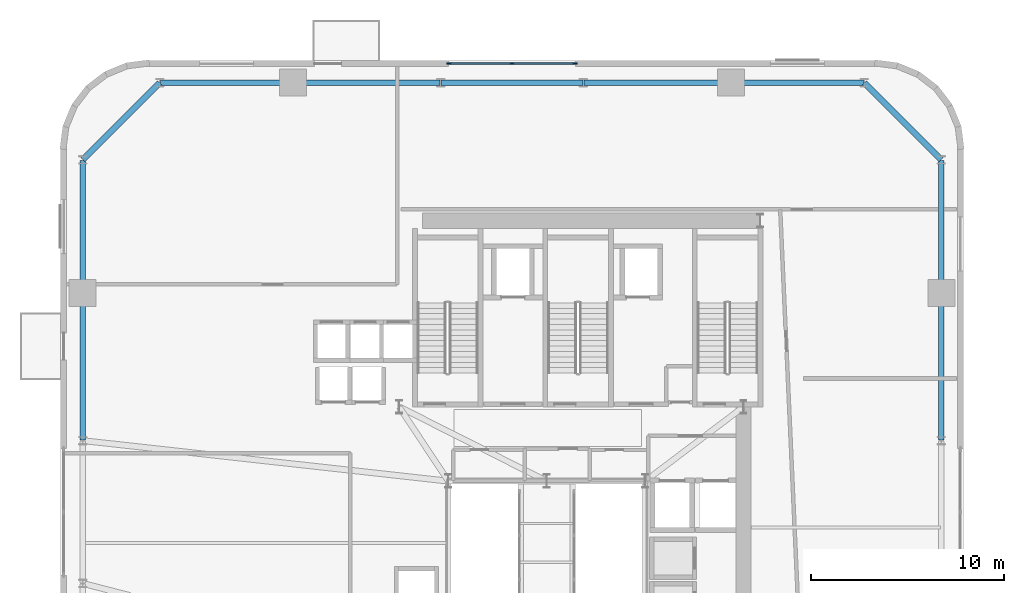
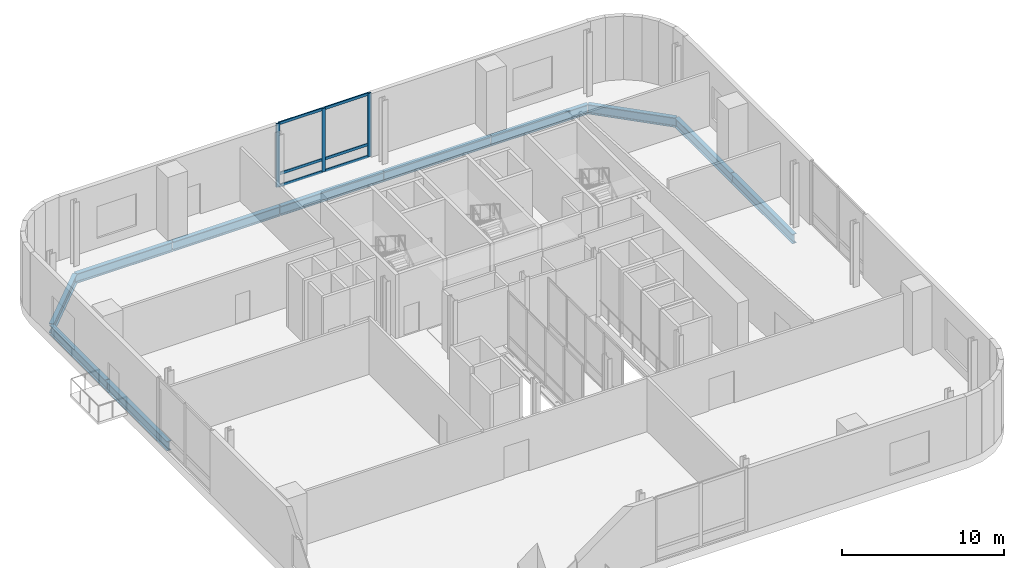
# One storey, part 6 of 14: 11 beams, 9 members, 1 element without a shape of its own.
"""IFC4 building model written with IfcOpenShell, lengths in metres."""

from ifc_helpers import new_model, si_unit, direction, frame, origin, origin_2d, place, context, subcontext, project, spatial, rectangle, i_section, extrude, source, transform, mapped, material, material_profile, profile_set, type_object, element, aggregate, save


model = new_model("IFC4")

# Units and contexts
model_context = context("Model", 3, precision=1e-05, world=origin(), true_north=direction((0.0, 1.0)))
body_context = subcontext(model_context, "Body", "Model", "MODEL_VIEW")
ifc_project = project(units=[si_unit("LENGTHUNIT", "METRE"), si_unit("AREAUNIT", "SQUARE_METRE"), si_unit("VOLUMEUNIT", "CUBIC_METRE"), si_unit("PLANEANGLEUNIT", "RADIAN"), si_unit("MASSUNIT", "GRAM", prefix="KILO")], contexts=[model_context])

# Site, building, storey
site_placement = place(None, origin())
site = spatial("IfcSite", under=ifc_project, at=site_placement, CompositionType="ELEMENT")
building_placement = place(site_placement, origin())
building = spatial("IfcBuilding", under=site, at=building_placement, Name="Vardaveli Station Tower", CompositionType="ELEMENT")
storey_placement = place(building_placement, frame((0.0, 0.0, 172.199951171875)))
storey = spatial("IfcBuildingStorey", under=building, at=storey_placement, Name="L44", CompositionType="ELEMENT", Elevation=172.199951171875)

# Beams
ifc_material_1 = material(Name="Structural steel S460M", Category="steel")
ifc_material_profile_1 = material_profile(ifc_material_1, i_section(OverallWidth=0.303955078125, OverallDepth=0.716064453125, WebThickness=0.02099609375, FlangeThickness=0.0400390625, FilletRadius=0.027099609375, at=origin_2d()), Name="HEM 700")
ifc_profile_set_1 = profile_set([ifc_material_profile_1], Name="Structural steel S460M")
beam_type = type_object("IfcBeamType", Name="BM-HEM700", PredefinedType="BEAM", material=ifc_profile_set_1)
shared_shape_1 = source(origin(), body_context, "Body", "SweptSolid", [
    extrude(i_section(OverallWidth=0.303955078125, OverallDepth=0.716064453125, WebThickness=0.02099609375, FlangeThickness=0.0400390625, FilletRadius=0.027099609375, at=origin_2d()), origin(), (0.0, 0.0, 1.0), 7.60009765625),
])
for number, where, z_axis, x_axis, name in (
    (1, (56.75, 28.919921875, -1.008056640625), (0.0, 1.0, 0.0), (-1.0, 0.0, 0.0), "RBM-L44-09"),
    (2, (45.820068359375, 47.449951171875, -1.008056640625), (-1.0, 0.0, 0.0), (0.0, -1.0, 0.0), "RBM-L44-13"),
    (3, (30.780029296875, 47.449951171875, -1.008056640625), (-1.0, 0.0, 0.0), (0.0, -1.0, 0.0), "RBM-L44-15"),
    (4, (12.25, 36.52001953125, -1.008056640625), (0.0, -1.0, 0.0), (1.0, 0.0, 0.0), "RBM-L44-19"),
):
    element("IfcBeam", number, at=place(storey_placement, frame(where, z_axis=z_axis, x_axis=x_axis)), inside=storey, type_object=beam_type, Name=name, PredefinedType="BEAM", context=body_context, shape_type="MappedRepresentation", body=[
        mapped(shared_shape_1, transform((0.0, 0.0, 0.0), scale=1.0)),
    ])
shared_shape_2 = source(origin(), body_context, "Body", "SweptSolid", [
    extrude(i_section(OverallWidth=0.303955078125, OverallDepth=0.716064453125, WebThickness=0.02099609375, FlangeThickness=0.0400390625, FilletRadius=0.027099609375, at=origin_2d()), origin(), (0.0, 0.0, 1.0), 7.35986328125),
])
beam_placement = place(storey_placement, frame((38.179931640625, 47.449951171875, -1.008056640625), z_axis=(-1.0, 0.0, 0.0), x_axis=(0.0, -1.0, 0.0)))
element("IfcBeam", 5, at=beam_placement, inside=storey, type_object=beam_type, Name="RBM-L44-14", PredefinedType="BEAM", context=body_context, shape_type="MappedRepresentation", body=[
    mapped(shared_shape_2, transform((0.0, 0.0, 0.0), scale=1.0)),
])
shared_shape_3 = source(origin(), body_context, "Body", "SweptSolid", [
    extrude(i_section(OverallWidth=0.303955078125, OverallDepth=0.716064453125, WebThickness=0.02099609375, FlangeThickness=0.0400390625, FilletRadius=0.027099609375, at=origin_2d()), origin(), (0.0, 0.0, 1.0), 6.869873046875),
])
for number, where, z_axis, x_axis, name in (
    (6, (56.75, 36.56005859375, -1.008056640625), (0.0, 1.0, 0.0), (-1.0, 0.0, 0.0), "RBM-L44-10"),
    (7, (52.72998046875, 47.449951171875, -1.008056640625), (-1.0, 0.0, 0.0), (0.0, -1.0, 0.0), "RBM-L44-12"),
    (8, (23.139892578125, 47.449951171875, -1.008056640625), (-1.0, 0.0, 0.0), (0.0, -1.0, 0.0), "RBM-L44-16"),
    (9, (12.25, 43.429931640625, -1.008056640625), (0.0, -1.0, 0.0), (1.0, 0.0, 0.0), "RBM-L44-18"),
):
    element("IfcBeam", number, at=place(storey_placement, frame(where, z_axis=z_axis, x_axis=x_axis)), inside=storey, type_object=beam_type, Name=name, PredefinedType="BEAM", context=body_context, shape_type="MappedRepresentation", body=[
        mapped(shared_shape_3, transform((0.0, 0.0, 0.0), scale=1.0)),
    ])
shared_shape_4 = source(origin(), body_context, "Body", "SweptSolid", [
    extrude(i_section(OverallWidth=0.303955078125, OverallDepth=0.716064453125, WebThickness=0.02099609375, FlangeThickness=0.0400390625, FilletRadius=0.027099609375, at=origin_2d()), origin(), (0.0, 0.0, 1.0), 5.61669921875),
])
for number, where, z_axis, x_axis, name in (
    (10, (56.73583984375, 43.464111328125, -1.008056640625), (-0.707106781187, 0.707106781187, 0.0), (-0.707106781187, -0.707106781187, 0.0), "RBM-L44-11"),
    (11, (16.23583984375, 47.435791015625, -1.008056640625), (-0.707106781187, -0.707106781187, 0.0), (0.707106781187, -0.707106781187, 0.0), "RBM-L44-17"),
):
    element("IfcBeam", number, at=place(storey_placement, frame(where, z_axis=z_axis, x_axis=x_axis)), inside=storey, type_object=beam_type, Name=name, PredefinedType="BEAM", context=body_context, shape_type="MappedRepresentation", body=[
        mapped(shared_shape_4, transform((0.0, 0.0, 0.0), scale=1.0)),
    ])

# Curtain wall, members
ifc_material_2 = material(Name="Travertine stone and solar-control glass", Category="masonry")
curtain_wall_type = type_object("IfcCurtainWallType", Name="CW-SYS-3", PredefinedType="NOTDEFINED", material=ifc_material_2)
curtain_wall_placement = place(storey_placement, origin())
curtain_wall = element("IfcCurtainWall", 12, at=curtain_wall_placement, inside=storey, type_object=curtain_wall_type, Name="CW-L44-N", PredefinedType="NOTDEFINED")
ifc_material_3 = material(Name="Anodised aluminium alloy 6063-T6", Category="aluminium")
ifc_material_profile_2 = material_profile(ifc_material_3, rectangle(XDim=0.090087890625, YDim=0.199951171875, at=origin_2d()), Name="CWT 90x200")
ifc_profile_set_2 = profile_set([ifc_material_profile_2], Name="Anodised aluminium alloy 6063-T6")
member_type_1 = type_object("IfcMemberType", Name="CW-SYS-3-TRAN", PredefinedType="NOTDEFINED", material=ifc_profile_set_2)
shared_shape_5 = source(origin(), body_context, "Body", "SweptSolid", [
    extrude(rectangle(XDim=0.090087890625, YDim=0.199951171875, at=origin_2d()), origin(), (0.0, 0.0, 1.0), 3.1650390625),
])
member_1_placement = place(storey_placement, frame((37.7099609375, 48.43994140625, 0.045166015625), z_axis=(-1.0, 0.0, 0.0), x_axis=(0.0, -1.0, 0.0)))
member_1 = element("IfcMember", 13, at=member_1_placement, type_object=member_type_1, Name="CW-3 transom 1.1", ObjectType="TRANSOM", PredefinedType="USERDEFINED", context=body_context, shape_type="MappedRepresentation", body=[
    mapped(shared_shape_5, transform((0.0, 0.0, 0.0), scale=1.0)),
])
member_2_placement = place(storey_placement, frame((37.7099609375, 48.43994140625, 0.949951171875), z_axis=(-1.0, 0.0, 0.0), x_axis=(0.0, -1.0, 0.0)))
member_2 = element("IfcMember", 14, at=member_2_placement, type_object=member_type_1, Name="CW-3 transom 1.2", ObjectType="TRANSOM", PredefinedType="USERDEFINED", context=body_context, shape_type="MappedRepresentation", body=[
    mapped(shared_shape_5, transform((0.0, 0.0, 0.0), scale=1.0)),
])
member_3_placement = place(storey_placement, frame((37.7099609375, 48.43994140625, 4.735107421875), z_axis=(-1.0, 0.0, 0.0), x_axis=(0.0, -1.0, 0.0)))
member_3 = element("IfcMember", 15, at=member_3_placement, type_object=member_type_1, Name="CW-3 transom 1.3", ObjectType="TRANSOM", PredefinedType="USERDEFINED", context=body_context, shape_type="MappedRepresentation", body=[
    mapped(shared_shape_5, transform((0.0, 0.0, 0.0), scale=1.0)),
])
member_4_placement = place(storey_placement, frame((34.455078125, 48.43994140625, 0.045166015625), z_axis=(-1.0, 0.0, 0.0), x_axis=(0.0, -1.0, 0.0)))
member_4 = element("IfcMember", 16, at=member_4_placement, type_object=member_type_1, Name="CW-3 transom 2.1", ObjectType="TRANSOM", PredefinedType="USERDEFINED", context=body_context, shape_type="MappedRepresentation", body=[
    mapped(shared_shape_5, transform((0.0, 0.0, 0.0), scale=1.0)),
])
member_5_placement = place(storey_placement, frame((34.455078125, 48.43994140625, 0.949951171875), z_axis=(-1.0, 0.0, 0.0), x_axis=(0.0, -1.0, 0.0)))
member_5 = element("IfcMember", 17, at=member_5_placement, type_object=member_type_1, Name="CW-3 transom 2.2", ObjectType="TRANSOM", PredefinedType="USERDEFINED", context=body_context, shape_type="MappedRepresentation", body=[
    mapped(shared_shape_5, transform((0.0, 0.0, 0.0), scale=1.0)),
])
member_6_placement = place(storey_placement, frame((34.455078125, 48.43994140625, 4.735107421875), z_axis=(-1.0, 0.0, 0.0), x_axis=(0.0, -1.0, 0.0)))
member_6 = element("IfcMember", 18, at=member_6_placement, type_object=member_type_1, Name="CW-3 transom 2.3", ObjectType="TRANSOM", PredefinedType="USERDEFINED", context=body_context, shape_type="MappedRepresentation", body=[
    mapped(shared_shape_5, transform((0.0, 0.0, 0.0), scale=1.0)),
])
ifc_material_profile_3 = material_profile(ifc_material_3, rectangle(XDim=0.090087890625, YDim=0.25, at=origin_2d()), Name="CWM 90x250")
ifc_profile_set_3 = profile_set([ifc_material_profile_3], Name="Anodised aluminium alloy 6063-T6")
member_type_2 = type_object("IfcMemberType", Name="CW-SYS-3-MULL", PredefinedType="MULLION", material=ifc_profile_set_3)
shared_shape_6 = source(origin(), body_context, "Body", "SweptSolid", [
    extrude(rectangle(XDim=0.090087890625, YDim=0.25, at=origin_2d()), origin(), (0.0, 0.0, 1.0), 4.780029296875),
])
member_7_placement = place(storey_placement, frame((37.7548828125, 48.43994140625, 0.0), z_axis=(0.0, 0.0, 1.0), x_axis=(0.0, -1.0, 0.0)))
member_7 = element("IfcMember", 19, at=member_7_placement, type_object=member_type_2, Name="CW-3 mullion 1", PredefinedType="MULLION", context=body_context, shape_type="MappedRepresentation", body=[
    mapped(shared_shape_6, transform((0.0, 0.0, 0.0), scale=1.0)),
])
member_8_placement = place(storey_placement, frame((34.5, 48.43994140625, 0.0), z_axis=(0.0, 0.0, 1.0), x_axis=(0.0, -1.0, 0.0)))
member_8 = element("IfcMember", 20, at=member_8_placement, type_object=member_type_2, Name="CW-3 mullion 2", PredefinedType="MULLION", context=body_context, shape_type="MappedRepresentation", body=[
    mapped(shared_shape_6, transform((0.0, 0.0, 0.0), scale=1.0)),
])
member_9_placement = place(storey_placement, frame((31.2451171875, 48.43994140625, 0.0), z_axis=(0.0, 0.0, 1.0), x_axis=(0.0, -1.0, 0.0)))
member_9 = element("IfcMember", 21, at=member_9_placement, type_object=member_type_2, Name="CW-3 mullion 3", PredefinedType="MULLION", context=body_context, shape_type="MappedRepresentation", body=[
    mapped(shared_shape_6, transform((0.0, 0.0, 0.0), scale=1.0)),
])
aggregate(curtain_wall, [member_7, member_8, member_9, member_1, member_2, member_3, member_4, member_5, member_6])

save(model, "model.ifc")
